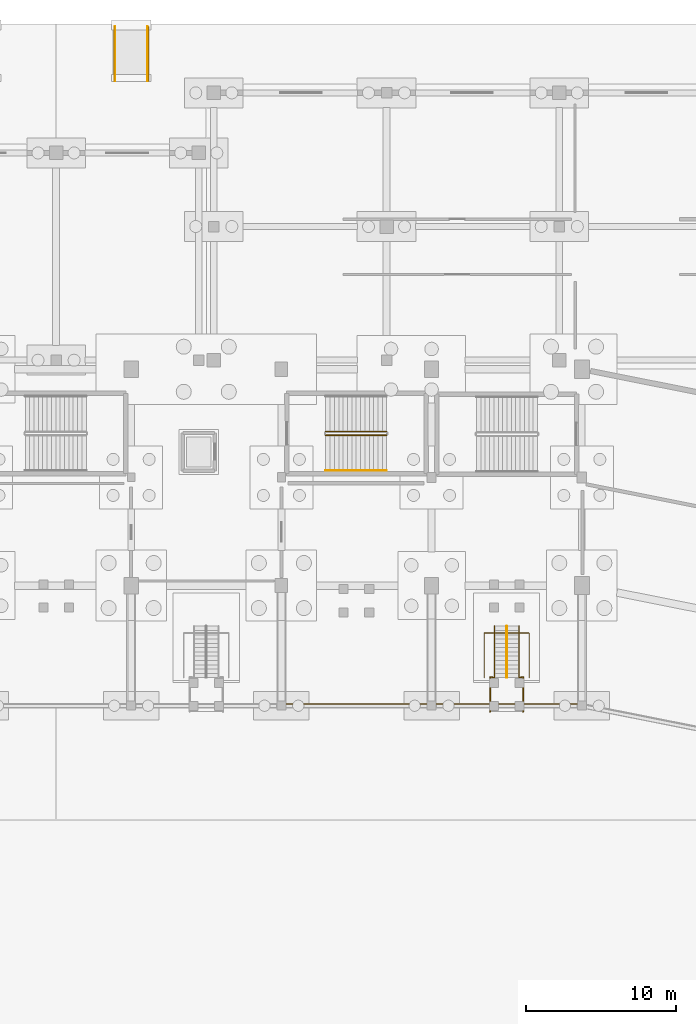
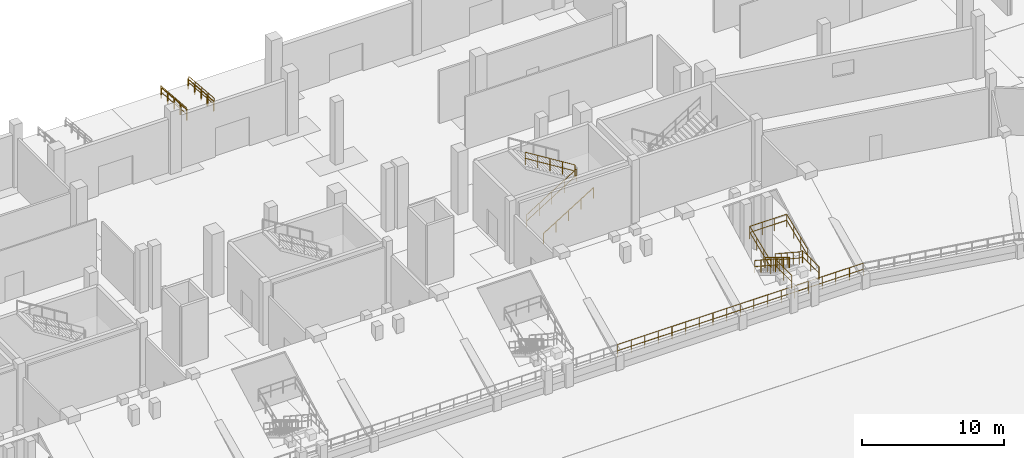
# One storey, part 66 of 68: 13 railings.
"""IFC4 building model written with IfcOpenShell, lengths in metres."""

from ifc_helpers import new_model, si_unit, direction, frame, origin, origin_2d, place, context, subcontext, project, spatial, circle, extrude, material, layer, layer_set, type_object, element, save


model = new_model("IFC4")

# Units and contexts
model_context = context("Model", 3, precision=1e-05, world=origin(), true_north=direction((0.0, 1.0)))
body_context = subcontext(model_context, "Body", "Model", "MODEL_VIEW")
ifc_project = project(units=[si_unit("LENGTHUNIT", "METRE"), si_unit("AREAUNIT", "SQUARE_METRE"), si_unit("VOLUMEUNIT", "CUBIC_METRE"), si_unit("PLANEANGLEUNIT", "RADIAN"), si_unit("MASSUNIT", "GRAM", prefix="KILO")], contexts=[model_context])

# Site, building, storey
site_placement = place(None, origin())
site = spatial("IfcSite", under=ifc_project, at=site_placement, CompositionType="ELEMENT")
building_placement = place(site_placement, origin())
building = spatial("IfcBuilding", under=site, at=building_placement, Name="Candeia Ridge Stadium", CompositionType="ELEMENT")
storey_placement = place(building_placement, origin())
storey = spatial("IfcBuildingStorey", under=building, at=storey_placement, Name="L00", CompositionType="ELEMENT", Elevation=0.0)

# Railings
ifc_material_1 = material(Name="Galvanized Powder-Coated Steel", Category="steel")
ifc_layer_1 = layer(ifc_material_1, 0.074951171875, Name="Galvanized Powder-Coated Steel", Category="steel")
ifc_layer_set_1 = layer_set([ifc_layer_1], Name="Galvanized Powder-Coated Steel")
railing_type_1 = type_object("IfcRailingType", Name="Spectator Bowl Front Guardrail 1120", PredefinedType="GUARDRAIL", material=ifc_layer_set_1)
for number, where, name in (
    (1, (141.0, 124.719970703125, 0.85009765625), "Stand T1 front safety guardrail bay 01"),
    (2, (131.0, 124.719970703125, 0.85009765625), "Stand T1 front safety guardrail bay 02"),
):
    element("IfcRailing", number, at=place(storey_placement, frame(where)), inside=storey, type_object=railing_type_1, Name=name, PredefinedType="GUARDRAIL", context=body_context, shape_type="SweptSolid", body=[
        extrude(circle(Radius=0.02392578125, at=origin_2d()), frame((0.0, 0.0, 1.09619140625), z_axis=(-1.0, 0.0, 0.0), x_axis=(0.0, -1.0, 0.0)), (0.0, 0.0, 1.0), 10.0),
        extrude(circle(Radius=0.02392578125, at=origin_2d()), frame((0.0, 0.0, 0.56005859375), z_axis=(-1.0, 0.0, 0.0), x_axis=(0.0, -1.0, 0.0)), (0.0, 0.0, 1.0), 10.0),
        extrude(circle(Radius=0.02099609375, at=origin_2d()), origin(), (0.0, 0.0, 1.0), 1.072021484375),
        extrude(circle(Radius=0.02099609375, at=origin_2d()), frame((-1.111083984375, 0.0, 0.0)), (0.0, 0.0, 1.0), 1.072021484375),
        extrude(circle(Radius=0.02099609375, at=origin_2d()), frame((-2.22216796875, 0.0, 0.0)), (0.0, 0.0, 1.0), 1.072021484375),
        extrude(circle(Radius=0.02099609375, at=origin_2d()), frame((-3.333251953125, 0.0, 0.0)), (0.0, 0.0, 1.0), 1.072021484375),
        extrude(circle(Radius=0.02099609375, at=origin_2d()), frame((-4.4443359375, 0.0, 0.0)), (0.0, 0.0, 1.0), 1.072021484375),
        extrude(circle(Radius=0.02099609375, at=origin_2d()), frame((-5.5556640625, 0.0, 0.0)), (0.0, 0.0, 1.0), 1.072021484375),
        extrude(circle(Radius=0.02099609375, at=origin_2d()), frame((-6.666748046875, 0.0, 0.0)), (0.0, 0.0, 1.0), 1.072021484375),
        extrude(circle(Radius=0.02099609375, at=origin_2d()), frame((-7.77783203125, 0.0, 0.0)), (0.0, 0.0, 1.0), 1.072021484375),
        extrude(circle(Radius=0.02099609375, at=origin_2d()), frame((-8.888916015625, 0.0, 0.0)), (0.0, 0.0, 1.0), 1.072021484375),
        extrude(circle(Radius=0.02099609375, at=origin_2d()), frame((-10.0, 0.0, 0.0)), (0.0, 0.0, 1.0), 1.072021484375),
    ])
ifc_material_2 = material(Name="Brushed Stainless Steel", Category="steel")
ifc_layer_2 = layer(ifc_material_2, 0.048095703125, Name="Brushed Stainless Steel", Category="steel")
ifc_layer_set_2 = layer_set([ifc_layer_2], Name="Brushed Stainless Steel")
railing_type_2 = type_object("IfcRailingType", Name="Stair Wall & Flight Handrail 900", PredefinedType="HANDRAIL", material=ifc_layer_set_2)
for number, where, name in (
    (3, (109.919921875, 169.800048828125, -0.300048828125), "Accessible ramp handrail RMP-N2-L"),
    (4, (112.080078125, 169.800048828125, -0.300048828125), "Accessible ramp handrail RMP-N2-R"),
):
    element("IfcRailing", number, at=place(storey_placement, frame(where)), inside=storey, type_object=railing_type_2, Name=name, PredefinedType="HANDRAIL", context=body_context, shape_type="SweptSolid", body=[
        extrude(circle(Radius=0.02392578125, at=origin_2d()), frame((0.0, 0.0, 0.8759765625), z_axis=(0.0, -0.996544826035, 0.083056665618), x_axis=(1.0, 0.0, 0.0)), (0.0, 0.0, 1.0), 3.612548828125),
        extrude(circle(Radius=0.02099609375, at=origin_2d()), origin(), (0.0, 0.0, 1.0), 0.851806640625),
        extrude(circle(Radius=0.02099609375, at=origin_2d()), frame((0.0, -0.89990234375, 0.074951171875)), (0.0, 0.0, 1.0), 0.851806640625),
        extrude(circle(Radius=0.02099609375, at=origin_2d()), frame((0.0, -1.800048828125, 0.14990234375)), (0.0, 0.0, 1.0), 0.851806640625),
        extrude(circle(Radius=0.02099609375, at=origin_2d()), frame((0.0, -2.7001953125, 0.22509765625)), (0.0, 0.0, 1.0), 0.851806640625),
        extrude(circle(Radius=0.02099609375, at=origin_2d()), frame((0.0, -3.60009765625, 0.300048828125)), (0.0, 0.0, 1.0), 0.851806640625),
    ])
railing_1_placement = place(storey_placement, frame((123.949951171875, 140.25, 0.179931640625)))
element("IfcRailing", 5, at=railing_1_placement, inside=storey, type_object=railing_type_2, Name="L00 ST10 stair handrail 1", PredefinedType="HANDRAIL", context=body_context, shape_type="SweptSolid", body=[
    extrude(circle(Radius=0.02392578125, at=origin_2d()), frame((0.0, 0.0, 0.8759765625), z_axis=(0.849641744969, 0.0, 0.527360318194), x_axis=(0.0, 1.0, 0.0)), (0.0, 0.0, 1.0), 4.778564453125),
    extrude(circle(Radius=0.02099609375, at=origin_2d()), origin(), (0.0, 0.0, 1.0), 0.851806640625),
    extrude(circle(Radius=0.02099609375, at=origin_2d()), frame((1.01513671875, 0.0, 0.6298828125)), (0.0, 0.0, 1.0), 0.851806640625),
    extrude(circle(Radius=0.02099609375, at=origin_2d()), frame((2.030029296875, 0.0, 1.260009765625)), (0.0, 0.0, 1.0), 0.851806640625),
    extrude(circle(Radius=0.02099609375, at=origin_2d()), frame((3.044921875, 0.0, 1.89013671875)), (0.0, 0.0, 1.0), 0.851806640625),
    extrude(circle(Radius=0.02099609375, at=origin_2d()), frame((4.06005859375, 0.0, 2.52001953125)), (0.0, 0.0, 1.0), 0.851806640625),
])
railing_2_placement = place(storey_placement, frame((136.0, 129.89208984375, 0.17236328125)))
element("IfcRailing", 6, at=railing_2_placement, inside=storey, type_object=railing_type_2, Name="Vomitory stair handrail VS01", PredefinedType="HANDRAIL", context=body_context, shape_type="SweptSolid", body=[
    extrude(circle(Radius=0.02392578125, at=origin_2d()), frame((0.0, 0.0, 0.8759765625), z_axis=(0.0, -0.855774125036, 0.517349637014), x_axis=(1.0, 0.0, 0.0)), (0.0, 0.0, 1.0), 3.99658203125),
    extrude(circle(Radius=0.02099609375, at=origin_2d()), origin(), (0.0, 0.0, 1.0), 0.851806640625),
    extrude(circle(Radius=0.02099609375, at=origin_2d()), frame((0.0, -0.85498046875, 0.516845703125)), (0.0, 0.0, 1.0), 0.851806640625),
    extrude(circle(Radius=0.02099609375, at=origin_2d()), frame((0.0, -1.7099609375, 1.03369140625)), (0.0, 0.0, 1.0), 0.851806640625),
    extrude(circle(Radius=0.02099609375, at=origin_2d()), frame((0.0, -2.565185546875, 1.55078125)), (0.0, 0.0, 1.0), 0.851806640625),
    extrude(circle(Radius=0.02099609375, at=origin_2d()), frame((0.0, -3.420166015625, 2.067626953125)), (0.0, 0.0, 1.0), 0.851806640625),
])
ifc_layer_3 = layer(ifc_material_1, 0.06005859375, Name="Galvanized Powder-Coated Steel", Category="steel")
ifc_layer_set_3 = layer_set([ifc_layer_3], Name="Galvanized Powder-Coated Steel")
railing_type_3 = type_object("IfcRailingType", Name="Stair Well Guardrail 1100", PredefinedType="GUARDRAIL", material=ifc_layer_set_3)
railing_3_placement = place(storey_placement, frame((123.949951171875, 142.60009765625, 0.179931640625)))
element("IfcRailing", 7, at=railing_3_placement, inside=storey, type_object=railing_type_3, Name="L00 ST10 stair guard 1", PredefinedType="GUARDRAIL", context=body_context, shape_type="SweptSolid", body=[
    extrude(circle(Radius=0.02392578125, at=origin_2d()), frame((0.0, 0.0, 1.076171875), z_axis=(0.849641744969, 0.0, 0.527360318194), x_axis=(0.0, 1.0, 0.0)), (0.0, 0.0, 1.0), 4.778564453125),
    extrude(circle(Radius=0.02392578125, at=origin_2d()), frame((0.0, 0.0, 0.550048828125), z_axis=(0.849641744969, 0.0, 0.527360318194), x_axis=(0.0, 1.0, 0.0)), (0.0, 0.0, 1.0), 4.778564453125),
    extrude(circle(Radius=0.02099609375, at=origin_2d()), origin(), (0.0, 0.0, 1.0), 1.052001953125),
    extrude(circle(Radius=0.02099609375, at=origin_2d()), frame((1.01513671875, 0.0, 0.6298828125)), (0.0, 0.0, 1.0), 1.052001953125),
    extrude(circle(Radius=0.02099609375, at=origin_2d()), frame((2.030029296875, 0.0, 1.260009765625)), (0.0, 0.0, 1.0), 1.052001953125),
    extrude(circle(Radius=0.02099609375, at=origin_2d()), frame((3.044921875, 0.0, 1.89013671875)), (0.0, 0.0, 1.0), 1.052001953125),
    extrude(circle(Radius=0.02099609375, at=origin_2d()), frame((4.06005859375, 0.0, 2.52001953125)), (0.0, 0.0, 1.0), 1.052001953125),
])
railing_4_placement = place(storey_placement, frame((128.010009765625, 142.85009765625, 2.8798828125)))
element("IfcRailing", 8, at=railing_4_placement, inside=storey, type_object=railing_type_3, Name="L00 ST10 stair guard 3", PredefinedType="GUARDRAIL", context=body_context, shape_type="SweptSolid", body=[
    extrude(circle(Radius=0.02392578125, at=origin_2d()), frame((0.0, 0.0, 1.076171875), z_axis=(-0.849641744969, 0.0, 0.527360318194), x_axis=(0.0, -1.0, 0.0)), (0.0, 0.0, 1.0), 4.778564453125),
    extrude(circle(Radius=0.02392578125, at=origin_2d()), frame((0.0, 0.0, 0.550048828125), z_axis=(-0.849641744969, 0.0, 0.527360318194), x_axis=(0.0, -1.0, 0.0)), (0.0, 0.0, 1.0), 4.778564453125),
    extrude(circle(Radius=0.02099609375, at=origin_2d()), origin(), (0.0, 0.0, 1.0), 1.052001953125),
    extrude(circle(Radius=0.02099609375, at=origin_2d()), frame((-1.01513671875, 0.0, 0.6298828125)), (0.0, 0.0, 1.0), 1.052001953125),
    extrude(circle(Radius=0.02099609375, at=origin_2d()), frame((-2.030029296875, 0.0, 1.260009765625)), (0.0, 0.0, 1.0), 1.052001953125),
    extrude(circle(Radius=0.02099609375, at=origin_2d()), frame((-3.044921875, 0.0, 1.89013671875)), (0.0, 0.0, 1.0), 1.052001953125),
    extrude(circle(Radius=0.02099609375, at=origin_2d()), frame((-4.06005859375, 0.0, 2.52001953125)), (0.0, 0.0, 1.0), 1.052001953125),
])
ifc_layer_4 = layer(ifc_material_1, 0.070068359375, Name="Galvanized Powder-Coated Steel", Category="steel")
ifc_layer_set_4 = layer_set([ifc_layer_4], Name="Galvanized Powder-Coated Steel")
railing_type_4 = type_object("IfcRailingType", Name="Vomitory Portal Guardrail 1100", PredefinedType="GUARDRAIL", material=ifc_layer_set_4)
for number, where, name in (
    (9, (109.860107421875, 169.800048828125, -0.300048828125), "Accessible ramp guardrail RMP-N2-L"),
    (10, (112.139892578125, 169.800048828125, -0.300048828125), "Accessible ramp guardrail RMP-N2-R"),
):
    element("IfcRailing", number, at=place(storey_placement, frame(where)), inside=storey, type_object=railing_type_4, Name=name, PredefinedType="GUARDRAIL", context=body_context, shape_type="SweptSolid", body=[
        extrude(circle(Radius=0.02392578125, at=origin_2d()), frame((0.0, 0.0, 1.076171875), z_axis=(0.0, -0.996544826035, 0.083056665618), x_axis=(1.0, 0.0, 0.0)), (0.0, 0.0, 1.0), 3.612548828125),
        extrude(circle(Radius=0.02392578125, at=origin_2d()), frame((0.0, 0.0, 0.550048828125), z_axis=(0.0, -0.996544826035, 0.083056665618), x_axis=(1.0, 0.0, 0.0)), (0.0, 0.0, 1.0), 3.612548828125),
        extrude(circle(Radius=0.02099609375, at=origin_2d()), origin(), (0.0, 0.0, 1.0), 1.052001953125),
        extrude(circle(Radius=0.02099609375, at=origin_2d()), frame((0.0, -0.89990234375, 0.074951171875)), (0.0, 0.0, 1.0), 1.052001953125),
        extrude(circle(Radius=0.02099609375, at=origin_2d()), frame((0.0, -1.800048828125, 0.14990234375)), (0.0, 0.0, 1.0), 1.052001953125),
        extrude(circle(Radius=0.02099609375, at=origin_2d()), frame((0.0, -2.7001953125, 0.22509765625)), (0.0, 0.0, 1.0), 1.052001953125),
        extrude(circle(Radius=0.02099609375, at=origin_2d()), frame((0.0, -3.60009765625, 0.300048828125)), (0.0, 0.0, 1.0), 1.052001953125),
    ])
railing_5_placement = place(storey_placement, frame((137.5, 126.471923828125, 2.239990234375)))
element("IfcRailing", 11, at=railing_5_placement, inside=storey, type_object=railing_type_4, Name="Vomitory portal guardrail VS01", PredefinedType="GUARDRAIL", context=body_context, shape_type="SweptSolid", body=[
    extrude(circle(Radius=0.02392578125, at=origin_2d()), frame((0.0, 0.0, 1.076171875), z_axis=(0.0, 0.92538053309, 0.379039402937), x_axis=(-1.0, 0.0, 0.0)), (0.0, 0.0, 1.0), 3.203125),
    extrude(circle(Radius=0.02392578125, at=origin_2d()), frame((0.0, 0.0, 0.550048828125), z_axis=(0.0, 0.92538053309, 0.379039402937), x_axis=(-1.0, 0.0, 0.0)), (0.0, 0.0, 1.0), 3.203125),
    extrude(circle(Radius=0.02392578125, at=origin_2d()), frame((0.0, 2.964111328125, 2.2900390625), z_axis=(-1.0, 0.0, 0.0), x_axis=(0.0, -1.0, 0.0)), (0.0, 0.0, 1.0), 3.0),
    extrude(circle(Radius=0.02392578125, at=origin_2d()), frame((0.0, 2.964111328125, 1.76416015625), z_axis=(-1.0, 0.0, 0.0), x_axis=(0.0, -1.0, 0.0)), (0.0, 0.0, 1.0), 3.0),
    extrude(circle(Radius=0.02392578125, at=origin_2d()), frame((-3.0, 2.964111328125, 2.2900390625), z_axis=(0.0, -0.92538053309, -0.379039402937), x_axis=(1.0, 0.0, 0.0)), (0.0, 0.0, 1.0), 3.203125),
    extrude(circle(Radius=0.02392578125, at=origin_2d()), frame((-3.0, 2.964111328125, 1.76416015625), z_axis=(0.0, -0.92538053309, -0.379039402937), x_axis=(1.0, 0.0, 0.0)), (0.0, 0.0, 1.0), 3.203125),
    extrude(circle(Radius=0.02099609375, at=origin_2d()), origin(), (0.0, 0.0, 1.0), 1.052001953125),
    extrude(circle(Radius=0.02099609375, at=origin_2d()), frame((0.0, 0.988037109375, 0.40478515625)), (0.0, 0.0, 1.0), 1.052001953125),
    extrude(circle(Radius=0.02099609375, at=origin_2d()), frame((0.0, 1.97607421875, 0.809326171875)), (0.0, 0.0, 1.0), 1.052001953125),
    extrude(circle(Radius=0.02099609375, at=origin_2d()), frame((0.0, 2.964111328125, 1.214111328125)), (0.0, 0.0, 1.0), 1.052001953125),
    extrude(circle(Radius=0.02099609375, at=origin_2d()), frame((-1.0, 2.964111328125, 1.214111328125)), (0.0, 0.0, 1.0), 1.052001953125),
    extrude(circle(Radius=0.02099609375, at=origin_2d()), frame((-2.0, 2.964111328125, 1.214111328125)), (0.0, 0.0, 1.0), 1.052001953125),
    extrude(circle(Radius=0.02099609375, at=origin_2d()), frame((-3.0, 2.964111328125, 1.214111328125)), (0.0, 0.0, 1.0), 1.052001953125),
    extrude(circle(Radius=0.02099609375, at=origin_2d()), frame((-3.0, 1.97607421875, 0.809326171875)), (0.0, 0.0, 1.0), 1.052001953125),
    extrude(circle(Radius=0.02099609375, at=origin_2d()), frame((-3.0, 0.988037109375, 0.40478515625)), (0.0, 0.0, 1.0), 1.052001953125),
    extrude(circle(Radius=0.02099609375, at=origin_2d()), frame((-3.0, 0.0, 0.0)), (0.0, 0.0, 1.0), 1.052001953125),
])
railing_6_placement = place(storey_placement, frame((136.820068359375, 129.89208984375, 0.0)))
element("IfcRailing", 12, at=railing_6_placement, inside=storey, type_object=railing_type_4, Name="Vomitory stair & landing side guardrail VS01-L", PredefinedType="GUARDRAIL", context=body_context, shape_type="SweptSolid", body=[
    extrude(circle(Radius=0.02392578125, at=origin_2d()), frame((0.0, 0.0, 1.076171875), z_axis=(0.0, -0.836551734384, 0.547887940822), x_axis=(1.0, 0.0, 0.0)), (0.0, 0.0, 1.0), 4.08837890625),
    extrude(circle(Radius=0.02392578125, at=origin_2d()), frame((0.0, 0.0, 0.550048828125), z_axis=(0.0, -0.836551734384, 0.547887940822), x_axis=(1.0, 0.0, 0.0)), (0.0, 0.0, 1.0), 4.08837890625),
    extrude(circle(Radius=0.02392578125, at=origin_2d()), frame((0.0, -3.420166015625, 3.31591796875), z_axis=(0.989932225045, 0.141542183877, 0.0), x_axis=(-0.141542183877, 0.989932225045, 0.0)), (0.0, 0.0, 1.0), 0.282958984375),
    extrude(circle(Radius=0.02392578125, at=origin_2d()), frame((0.0, -3.420166015625, 2.7900390625), z_axis=(0.989932225045, 0.141542183877, 0.0), x_axis=(-0.141542183877, 0.989932225045, 0.0)), (0.0, 0.0, 1.0), 0.282958984375),
    extrude(circle(Radius=0.02392578125, at=origin_2d()), frame((0.280029296875, -3.380126953125, 3.31591796875), z_axis=(0.0, -1.0, 0.0), x_axis=(1.0, 0.0, 0.0)), (0.0, 0.0, 1.0), 2.320068359375),
    extrude(circle(Radius=0.02392578125, at=origin_2d()), frame((0.280029296875, -3.380126953125, 2.7900390625), z_axis=(0.0, -1.0, 0.0), x_axis=(1.0, 0.0, 0.0)), (0.0, 0.0, 1.0), 2.320068359375),
    extrude(circle(Radius=0.02099609375, at=origin_2d()), origin(), (0.0, 0.0, 1.0), 1.052001953125),
    extrude(circle(Radius=0.02099609375, at=origin_2d()), frame((0.0, -0.85498046875, 0.56005859375)), (0.0, 0.0, 1.0), 1.052001953125),
    extrude(circle(Radius=0.02099609375, at=origin_2d()), frame((0.0, -1.7099609375, 1.1201171875)), (0.0, 0.0, 1.0), 1.052001953125),
    extrude(circle(Radius=0.02099609375, at=origin_2d()), frame((0.0, -2.565185546875, 1.679931640625)), (0.0, 0.0, 1.0), 1.052001953125),
    extrude(circle(Radius=0.02099609375, at=origin_2d()), frame((0.0, -3.420166015625, 2.239990234375)), (0.0, 0.0, 1.0), 1.052001953125),
    extrude(circle(Radius=0.02099609375, at=origin_2d()), frame((0.280029296875, -3.380126953125, 2.239990234375)), (0.0, 0.0, 1.0), 1.052001953125),
    extrude(circle(Radius=0.02099609375, at=origin_2d()), frame((0.280029296875, -4.5400390625, 2.239990234375)), (0.0, 0.0, 1.0), 1.052001953125),
    extrude(circle(Radius=0.02099609375, at=origin_2d()), frame((0.280029296875, -5.7001953125, 2.239990234375)), (0.0, 0.0, 1.0), 1.052001953125),
])
railing_7_placement = place(storey_placement, frame((135.179931640625, 129.89208984375, 0.0)))
element("IfcRailing", 13, at=railing_7_placement, inside=storey, type_object=railing_type_4, Name="Vomitory stair & landing side guardrail VS01-R", PredefinedType="GUARDRAIL", context=body_context, shape_type="SweptSolid", body=[
    extrude(circle(Radius=0.02392578125, at=origin_2d()), frame((0.0, 0.0, 1.076171875), z_axis=(0.0, -0.836551734384, 0.547887940822), x_axis=(1.0, 0.0, 0.0)), (0.0, 0.0, 1.0), 4.08837890625),
    extrude(circle(Radius=0.02392578125, at=origin_2d()), frame((0.0, 0.0, 0.550048828125), z_axis=(0.0, -0.836551734384, 0.547887940822), x_axis=(1.0, 0.0, 0.0)), (0.0, 0.0, 1.0), 4.08837890625),
    extrude(circle(Radius=0.02392578125, at=origin_2d()), frame((0.0, -3.420166015625, 3.31591796875), z_axis=(-0.989932225045, 0.141542183877, 0.0), x_axis=(-0.141542183877, -0.989932225045, 0.0)), (0.0, 0.0, 1.0), 0.282958984375),
    extrude(circle(Radius=0.02392578125, at=origin_2d()), frame((0.0, -3.420166015625, 2.7900390625), z_axis=(-0.989932225045, 0.141542183877, 0.0), x_axis=(-0.141542183877, -0.989932225045, 0.0)), (0.0, 0.0, 1.0), 0.282958984375),
    extrude(circle(Radius=0.02392578125, at=origin_2d()), frame((-0.280029296875, -3.380126953125, 3.31591796875), z_axis=(0.0, -1.0, 0.0), x_axis=(1.0, 0.0, 0.0)), (0.0, 0.0, 1.0), 2.320068359375),
    extrude(circle(Radius=0.02392578125, at=origin_2d()), frame((-0.280029296875, -3.380126953125, 2.7900390625), z_axis=(0.0, -1.0, 0.0), x_axis=(1.0, 0.0, 0.0)), (0.0, 0.0, 1.0), 2.320068359375),
    extrude(circle(Radius=0.02099609375, at=origin_2d()), origin(), (0.0, 0.0, 1.0), 1.052001953125),
    extrude(circle(Radius=0.02099609375, at=origin_2d()), frame((0.0, -0.85498046875, 0.56005859375)), (0.0, 0.0, 1.0), 1.052001953125),
    extrude(circle(Radius=0.02099609375, at=origin_2d()), frame((0.0, -1.7099609375, 1.1201171875)), (0.0, 0.0, 1.0), 1.052001953125),
    extrude(circle(Radius=0.02099609375, at=origin_2d()), frame((0.0, -2.565185546875, 1.679931640625)), (0.0, 0.0, 1.0), 1.052001953125),
    extrude(circle(Radius=0.02099609375, at=origin_2d()), frame((0.0, -3.420166015625, 2.239990234375)), (0.0, 0.0, 1.0), 1.052001953125),
    extrude(circle(Radius=0.02099609375, at=origin_2d()), frame((-0.280029296875, -3.380126953125, 2.239990234375)), (0.0, 0.0, 1.0), 1.052001953125),
    extrude(circle(Radius=0.02099609375, at=origin_2d()), frame((-0.280029296875, -4.5400390625, 2.239990234375)), (0.0, 0.0, 1.0), 1.052001953125),
    extrude(circle(Radius=0.02099609375, at=origin_2d()), frame((-0.280029296875, -5.7001953125, 2.239990234375)), (0.0, 0.0, 1.0), 1.052001953125),
])

save(model, "model.ifc")
